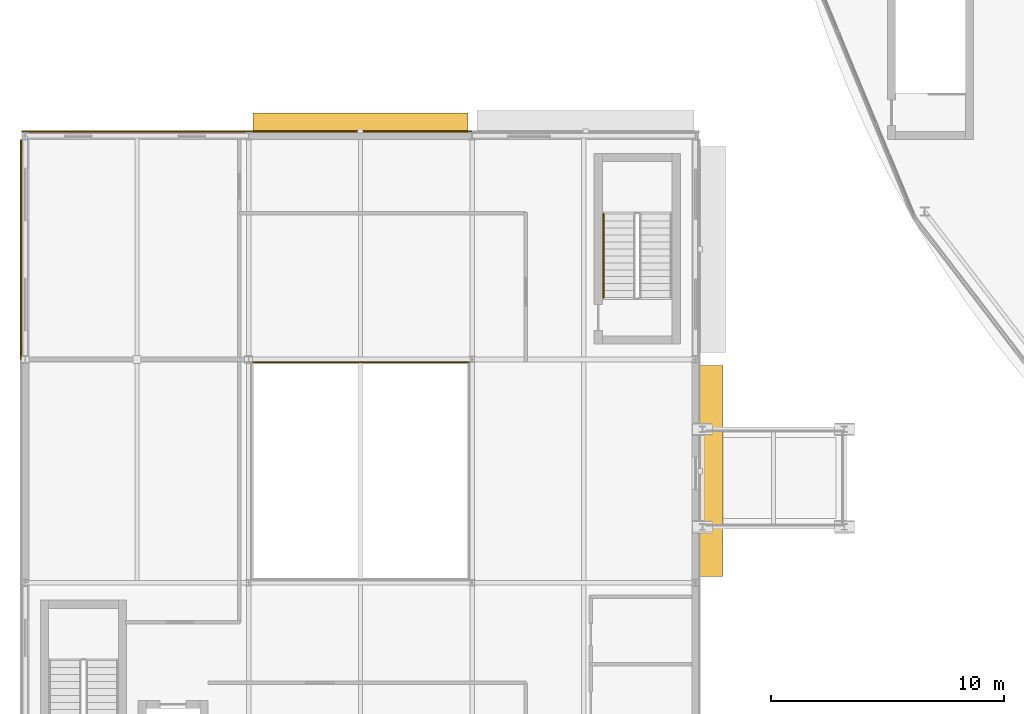
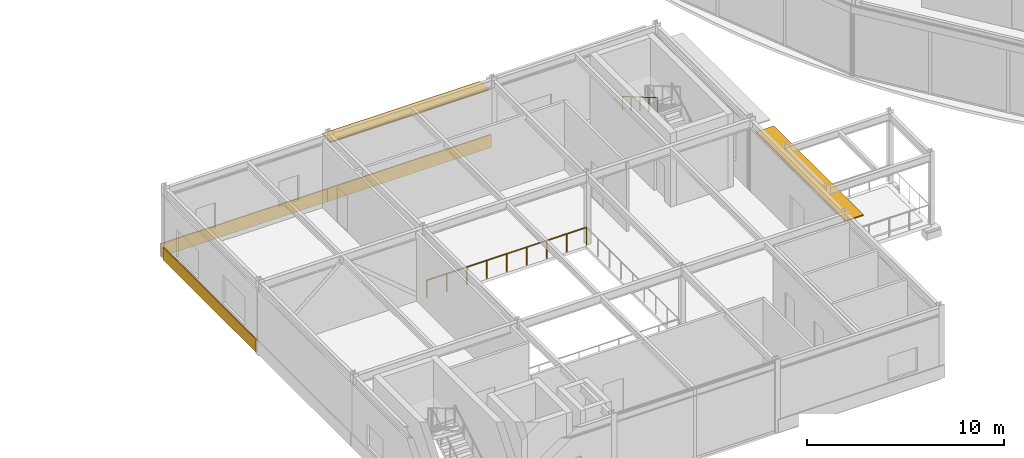
# One storey, part 136 of 157: 3 coverings, 2 railings, 2 shading devices.
"""IFC4 building model written with IfcOpenShell, lengths in metres."""

import ifcopenshell
import ifcopenshell.guid

model = None  # the IFC model being written
_history = None  # IfcOwnerHistory: only IFC2X3 demands one
_inside = {}  # id of a spatial element -> (the spatial element, [elements in it])
_under = {}  # id of a project, library or spatial element -> (it, [spatial elements below it])
_declared = {}  # id of a project -> (the project, [libraries it declares])
_typed = {}  # id of a type object -> (the type object, [elements of that type])
_made_of = {}  # id of a material, layer set ... -> (it, [elements and type objects made of it])


def new_model(schema):
    """Start an empty IFC model of exactly this schema.

    Asked for "IFC4X3", IfcOpenShell would pick the latest addendum, in which some entities
    have other attributes; the version numbers below select the first issue.
    IFC2X3 requires an IfcOwnerHistory on every rooted entity: one is made here for all.
    """
    global model, _history
    if schema == "IFC4X3":
        model = ifcopenshell.file(schema_version=(4, 3, 0, 0))
    else:
        model = ifcopenshell.file(schema=schema)
    _inside.clear()
    _under.clear()
    _declared.clear()
    _typed.clear()
    _made_of.clear()
    _history = None
    if model.schema == "IFC2X3":
        org = make("IfcOrganization", Name="unknown")
        user = make(
            "IfcPersonAndOrganization",
            ThePerson=make("IfcPerson", FamilyName="unknown"),
            TheOrganization=org,
        )
        app = make(
            "IfcApplication",
            ApplicationDeveloper=org,
            Version="unknown",
            ApplicationFullName="unknown",
            ApplicationIdentifier="unknown",
        )
        _history = make(
            "IfcOwnerHistory",
            OwningUser=user,
            OwningApplication=app,
            ChangeAction="ADDED",
            CreationDate=0,
        )
    return model


def make(cls, **values):
    """One entity of the class cls with the attributes given. An attribute that is None is left unset."""
    return model.create_entity(
        cls, **{name: value for name, value in values.items() if value is not None}
    )


def rooted(cls, **values):
    """An entity with a GlobalId (a new one), such as an element, a storey or a relation."""
    return make(cls, GlobalId=ifcopenshell.guid.new(), OwnerHistory=_history, **values)


def si_unit(unit_type, name, prefix=None):
    """IfcSIUnit, for example si_unit("LENGTHUNIT", "METRE", prefix="MILLI")."""
    return make("IfcSIUnit", UnitType=unit_type, Prefix=prefix, Name=name)


def assignment(units):
    """IfcUnitAssignment: the units of a project."""
    return None if units is None else make("IfcUnitAssignment", Units=units)


def point(xyz):
    """IfcCartesianPoint."""
    return None if xyz is None else make("IfcCartesianPoint", Coordinates=xyz)


def direction(xyz):
    """IfcDirection."""
    return None if xyz is None else make("IfcDirection", DirectionRatios=xyz)


def frame(location, z_axis=None, x_axis=None):
    """IfcAxis2Placement3D, a coordinate frame: its origin and axes. An axis left out is left unset."""
    return make(
        "IfcAxis2Placement3D",
        Location=point(location),
        Axis=direction(z_axis),
        RefDirection=direction(x_axis),
    )


def frame_2d(location, x_axis=None):
    """IfcAxis2Placement2D, a coordinate frame in the plane: its origin and x axis."""
    return make(
        "IfcAxis2Placement2D", Location=point(location), RefDirection=direction(x_axis)
    )


def origin():
    """The frame at (0, 0, 0) with its axes left unset."""
    return frame((0.0, 0.0, 0.0))


def origin_2d():
    """The frame at (0, 0) in the plane with its x axis left unset."""
    return frame_2d((0.0, 0.0))


def place(relative_to, where):
    """IfcLocalPlacement: puts the frame where relative to a parent placement (None: the world)."""
    return make(
        "IfcLocalPlacement", PlacementRelTo=relative_to, RelativePlacement=where
    )


def context(
    kind, dimensions, precision=None, world=None, true_north=None, identifier=None
):
    """IfcGeometricRepresentationContext, for example the 3D "Model" context."""
    return make(
        "IfcGeometricRepresentationContext",
        ContextIdentifier=identifier,
        ContextType=kind,
        CoordinateSpaceDimension=dimensions,
        Precision=precision,
        WorldCoordinateSystem=world,
        TrueNorth=true_north,
    )


def subcontext(parent, identifier, kind, view, scale=None):
    """IfcGeometricRepresentationSubContext, for example "Body" below "Model"."""
    return make(
        "IfcGeometricRepresentationSubContext",
        ContextIdentifier=identifier,
        ContextType=kind,
        ParentContext=parent,
        TargetScale=scale,
        TargetView=view,
    )


def project(units=None, contexts=None):
    """IfcProject with its units and contexts."""
    return rooted(
        "IfcProject",
        Name="project",
        RepresentationContexts=contexts,
        UnitsInContext=assignment(units),
    )


def spatial(cls, under=None, at=None, **own):
    """A site, building, storey or space (cls), placed at a placement, below another one or the project."""
    s = rooted(cls, ObjectPlacement=at, **own)
    if under is not None:
        _under.setdefault(under.id(), (under, []))[1].append(s)
    return s


def profile(cls, at=None, kind="AREA", **sizes):
    """A parametric profile (cls). Its sizes go by their IFC names, for example OverallWidth=200.0."""
    return make(cls, ProfileType=kind, Position=at, **sizes)


def rectangle(**sizes):
    """IfcRectangleProfileDef."""
    return profile("IfcRectangleProfileDef", **sizes)


def circle(**sizes):
    """IfcCircleProfileDef."""
    return profile("IfcCircleProfileDef", **sizes)


def extrude(swept, where, along, depth):
    """IfcExtrudedAreaSolid: the profile swept, set in the frame where, extruded along a direction by depth."""
    return make(
        "IfcExtrudedAreaSolid",
        SweptArea=swept,
        Position=where,
        ExtrudedDirection=direction(along),
        Depth=depth,
    )


def shape(context_of_items, identifier, shape_type, items):
    """IfcShapeRepresentation: the items that make up one representation, for example the "Body"."""
    return make(
        "IfcShapeRepresentation",
        ContextOfItems=context_of_items,
        RepresentationIdentifier=identifier,
        RepresentationType=shape_type,
        Items=items,
    )


def material(Name=None, Category=None):
    """IfcMaterial."""
    return make("IfcMaterial", Name=Name, Category=Category)


def layer(
    of_material, thickness, ventilated=None, Name=None, Category=None, Priority=None
):
    """IfcMaterialLayer: one layer of a wall or slab, of a material (None: an air gap)."""
    return make(
        "IfcMaterialLayer",
        Material=of_material,
        LayerThickness=thickness,
        IsVentilated=ventilated,
        Name=Name,
        Category=Category,
        Priority=Priority,
    )


def layer_set(layers, Name=None):
    """IfcMaterialLayerSet."""
    return make("IfcMaterialLayerSet", MaterialLayers=layers, LayerSetName=Name)


def made_of(thing, what):
    """Note that an element or type object is made of a material, layer set ...; save() writes the relation."""
    if what is not None:
        _made_of.setdefault(what.id(), (what, []))[1].append(thing)
    return thing


def type_object(cls, material=None, **own):
    """A type object (cls), such as IfcWallType, which elements share."""
    return made_of(rooted(cls, **own), material)


def element(
    cls,
    number,
    at=None,
    inside=None,
    cuts=None,
    type_object=None,
    material=None,
    context=None,
    identifier="Body",
    shape_type=None,
    held_by="IfcProductDefinitionShape",
    body=None,
    shapes=None,
    **own,
):
    """One element of the class cls, such as IfcWall. Its Tag is "e" and its number.

    at: its placement. inside: the storey or other place that contains it. cuts: it is an
    opening in that element (IfcRelVoidsElement). A single representation is given by context,
    identifier, shape_type and body (its items); several are given by shapes. held_by: the class
    of the entity that holds the representations. save() writes the other relations.
    """
    e = rooted(cls, Tag="e%d" % number, ObjectPlacement=at, **own)
    if body is not None:
        shapes = [shape(context, identifier, shape_type, body)]
    if shapes is not None:
        e.Representation = make(held_by, Representations=shapes)
    if inside is not None:
        _inside.setdefault(inside.id(), (inside, []))[1].append(e)
    if cuts is not None:
        rooted(
            "IfcRelVoidsElement", RelatingBuildingElement=cuts, RelatedOpeningElement=e
        )
    if type_object is not None:
        _typed.setdefault(type_object.id(), (type_object, []))[1].append(e)
    return made_of(e, material)


def aggregate(whole, parts):
    """IfcRelAggregates: a whole, such as a stair, and the parts it consists of."""
    return rooted("IfcRelAggregates", RelatingObject=whole, RelatedObjects=parts)


def save(model, path):
    """Write the relations noted so far, then the file.

    IfcRelAggregates (storeys below a building ...), IfcRelContainedInSpatialStructure (elements
    in a storey), IfcRelDefinesByType, IfcRelAssociatesMaterial and IfcRelDeclares: one each for
    every whole, place, type object, material and project.
    """
    for whole, parts in _under.values():
        aggregate(whole, parts)
    for where, things in _inside.values():
        rooted(
            "IfcRelContainedInSpatialStructure",
            RelatedElements=things,
            RelatingStructure=where,
        )
    for kind, things in _typed.values():
        rooted("IfcRelDefinesByType", RelatedObjects=things, RelatingType=kind)
    for what, things in _made_of.values():
        rooted("IfcRelAssociatesMaterial", RelatedObjects=things, RelatingMaterial=what)
    for by, libraries in _declared.values():
        rooted("IfcRelDeclares", RelatingContext=by, RelatedDefinitions=libraries)
    model.write(path)


model = new_model("IFC4")

# Units and contexts
model_context = context("Model", 3, precision=1e-05, world=origin(), true_north=direction((0.0, 1.0)))
body_context = subcontext(model_context, "Body", "Model", "MODEL_VIEW")
ifc_project = project(units=[si_unit("LENGTHUNIT", "METRE"), si_unit("AREAUNIT", "SQUARE_METRE"), si_unit("VOLUMEUNIT", "CUBIC_METRE"), si_unit("PLANEANGLEUNIT", "RADIAN"), si_unit("MASSUNIT", "GRAM", prefix="KILO")], contexts=[model_context])

# Site, building, storey
site_placement = place(None, origin())
site = spatial("IfcSite", under=ifc_project, at=site_placement, CompositionType="ELEMENT")
building_placement = place(site_placement, origin())
building = spatial("IfcBuilding", under=site, at=building_placement, Name="Almandine Court Research Institute", CompositionType="ELEMENT")
storey_placement = place(building_placement, frame((0.0, 0.0, 5.25)))
storey = spatial("IfcBuildingStorey", under=building, at=storey_placement, Name="L01", CompositionType="ELEMENT", Elevation=5.25)

# Coverings
ifc_material_1 = material(Name="Honed Andean Red-Buff Sandstone Cladding", Category="masonry")
ifc_layer_1 = layer(ifc_material_1, 0.06494140625)
ifc_layer_set_1 = layer_set([ifc_layer_1], Name="Honed Andean Red-Buff Sandstone Cladding")
covering_type = type_object("IfcCoveringType", Name="Cov-CLAD-SAND", PredefinedType="CLADDING", material=ifc_layer_set_1)
covering_1_placement = place(storey_placement, frame((5.81396484375, 29.922119140625, 0.02001953125), z_axis=(0.0, 0.0, 1.0), x_axis=(0.0, 1.0, 0.0)))
element("IfcCovering", 1, at=covering_1_placement, inside=storey, type_object=covering_type, Name="L01 Facade Spandrel Cladding Band 14", PredefinedType="CLADDING", context=body_context, shape_type="SweptSolid", body=[
    extrude(rectangle(XDim=9.43701171875, YDim=0.06494140625, at=origin_2d()), origin(), (0.0, 0.0, 1.0), 0.800048828125),
])
covering_2_placement = place(storey_placement, frame((10.719970703125, 34.985107421875, 0.02001953125), z_axis=(0.0, 0.0, 1.0), x_axis=(1.0, 0.0, 0.0)))
element("IfcCovering", 2, at=covering_2_placement, inside=storey, type_object=covering_type, Name="L01 Facade Spandrel Cladding Band 15", PredefinedType="CLADDING", context=body_context, shape_type="SweptSolid", body=[
    extrude(rectangle(XDim=9.7509765625, YDim=0.06494140625, at=origin_2d()), origin(), (0.0, 0.0, 1.0), 0.800048828125),
])
covering_3_placement = place(storey_placement, frame((20.39990234375, 34.985107421875, 0.02001953125), z_axis=(0.0, 0.0, 1.0), x_axis=(1.0, 0.0, 0.0)))
element("IfcCovering", 3, at=covering_3_placement, inside=storey, type_object=covering_type, Name="L01 Facade Spandrel Cladding Band 16", PredefinedType="CLADDING", context=body_context, shape_type="SweptSolid", body=[
    extrude(rectangle(XDim=9.592041015625, YDim=0.06494140625, at=origin_2d()), origin(), (0.0, 0.0, 1.0), 0.800048828125),
])

# Railings
ifc_material_2 = material(Name="Powder-Coated Steel Stair and Atrium Balustrade", Category="steel")
railing_type_1 = type_object("IfcRailingType", Name="Rail-GUARD-INT", PredefinedType="BALUSTRADE", material=ifc_material_2)
railing_1_placement = place(storey_placement, frame((25.080078125, 25.080078125, 0.0)))
element("IfcRailing", 4, at=railing_1_placement, inside=storey, type_object=railing_type_1, Name="L01 Lecture Bowl Overlook Balustrade 3", PredefinedType="BALUSTRADE", context=body_context, shape_type="SweptSolid", body=[
    extrude(circle(Radius=0.02392578125, at=origin_2d()), frame((0.0, 0.0, 1.09619140625), z_axis=(-1.0, 0.0, 0.0), x_axis=(0.0, -1.0, 0.0)), (0.0, 0.0, 1.0), 9.360107421875),
    extrude(circle(Radius=0.02099609375, at=origin_2d()), origin(), (0.0, 0.0, 1.0), 1.072021484375),
    extrude(circle(Radius=0.02099609375, at=origin_2d()), frame((-1.169921875, 0.0, 0.0)), (0.0, 0.0, 1.0), 1.072021484375),
    extrude(circle(Radius=0.02099609375, at=origin_2d()), frame((-2.340087890625, 0.0, 0.0)), (0.0, 0.0, 1.0), 1.072021484375),
    extrude(circle(Radius=0.02099609375, at=origin_2d()), frame((-3.510009765625, 0.0, 0.0)), (0.0, 0.0, 1.0), 1.072021484375),
    extrude(circle(Radius=0.02099609375, at=origin_2d()), frame((-4.68017578125, 0.0, 0.0)), (0.0, 0.0, 1.0), 1.072021484375),
    extrude(circle(Radius=0.02099609375, at=origin_2d()), frame((-5.85009765625, 0.0, 0.0)), (0.0, 0.0, 1.0), 1.072021484375),
    extrude(circle(Radius=0.02099609375, at=origin_2d()), frame((-7.02001953125, 0.0, 0.0)), (0.0, 0.0, 1.0), 1.072021484375),
    extrude(circle(Radius=0.02099609375, at=origin_2d()), frame((-8.190185546875, 0.0, 0.0)), (0.0, 0.0, 1.0), 1.072021484375),
    extrude(circle(Radius=0.02099609375, at=origin_2d()), frame((-9.360107421875, 0.0, 0.0)), (0.0, 0.0, 1.0), 1.072021484375),
])
ifc_material_3 = material(Name="Brushed Stainless Steel Wall Handrail", Category="steel")
railing_type_2 = type_object("IfcRailingType", Name="Rail-HAND-INT", PredefinedType="HANDRAIL", material=ifc_material_3)
railing_2_placement = place(storey_placement, frame((30.85009765625, 31.449951171875, 2.449951171875)))
element("IfcRailing", 5, at=railing_2_placement, inside=storey, type_object=railing_type_2, Name="L01 ST-02 stair handrail 2", PredefinedType="HANDRAIL", context=body_context, shape_type="SweptSolid", body=[
    extrude(circle(Radius=0.02392578125, at=origin_2d()), frame((0.0, 0.0, 0.8759765625), z_axis=(0.0, -0.863759778359, 0.503903805591), x_axis=(1.0, 0.0, 0.0)), (0.0, 0.0, 1.0), 4.167724609375),
    extrude(circle(Radius=0.02099609375, at=origin_2d()), origin(), (0.0, 0.0, 1.0), 0.851806640625),
    extrude(circle(Radius=0.02099609375, at=origin_2d()), frame((0.0, -0.89990234375, 0.52490234375)), (0.0, 0.0, 1.0), 0.851806640625),
    extrude(circle(Radius=0.02099609375, at=origin_2d()), frame((0.0, -1.7998046875, 1.050048828125)), (0.0, 0.0, 1.0), 0.851806640625),
    extrude(circle(Radius=0.02099609375, at=origin_2d()), frame((0.0, -2.699951171875, 1.5751953125)), (0.0, 0.0, 1.0), 0.851806640625),
    extrude(circle(Radius=0.02099609375, at=origin_2d()), frame((0.0, -3.599853515625, 2.10009765625)), (0.0, 0.0, 1.0), 0.851806640625),
])

# Shading devices
ifc_material_4 = material(Name="Precast GFRC Chhajja Sunshade and Acoustic Louvre", Category="concrete")
ifc_layer_2 = layer(ifc_material_4, 0.080078125)
ifc_layer_set_2 = layer_set([ifc_layer_2], Name="Precast GFRC Chhajja Sunshade and Acoustic Louvre")
shading_device_type_1 = type_object("IfcShadingDeviceType", Name="Shd-SD-04", PredefinedType="AWNING", material=ifc_layer_set_2)
shading_device_1_placement = place(storey_placement, frame((20.39990234375, 35.3701171875, 3.60400390625), z_axis=(0.0, 0.0, 1.0), x_axis=(1.0, 0.0, 0.0)))
element("IfcShadingDevice", 6, at=shading_device_1_placement, inside=storey, type_object=shading_device_type_1, Name="L01 Projecting Chhajja Sunshade 4", PredefinedType="AWNING", context=body_context, shape_type="SweptSolid", body=[
    extrude(rectangle(XDim=9.241943359375, YDim=0.85009765625, at=origin_2d()), origin(), (0.0, 0.0, 1.0), 0.080078125),
])
ifc_layer_3 = layer(ifc_material_4, 0.080078125)
ifc_layer_set_3 = layer_set([ifc_layer_3], Name="Precast GFRC Chhajja Sunshade and Acoustic Louvre")
shading_device_type_2 = type_object("IfcShadingDeviceType", Name="Shd-SD-06", PredefinedType="AWNING", material=ifc_layer_set_3)
shading_device_2_placement = place(storey_placement, frame((35.4599609375, 20.39990234375, 3.58203125), z_axis=(0.0, 0.0, 1.0), x_axis=(0.0, -1.0, 0.0)))
element("IfcShadingDevice", 7, at=shading_device_2_placement, inside=storey, type_object=shading_device_type_2, Name="L01 Projecting Chhajja Sunshade 6", PredefinedType="AWNING", context=body_context, shape_type="SweptSolid", body=[
    extrude(rectangle(XDim=9.08203125, YDim=1.050048828125, at=origin_2d()), origin(), (0.0, 0.0, 1.0), 0.080078125),
])

save(model, "model.ifc")
